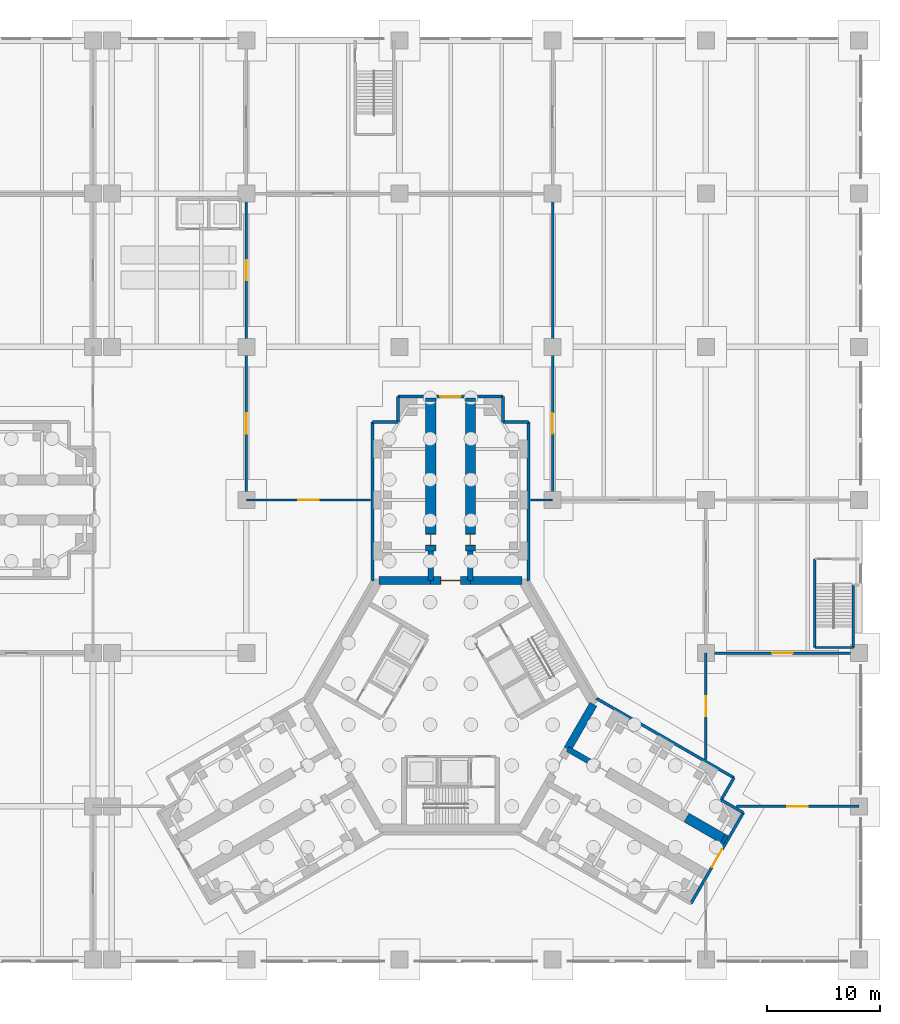
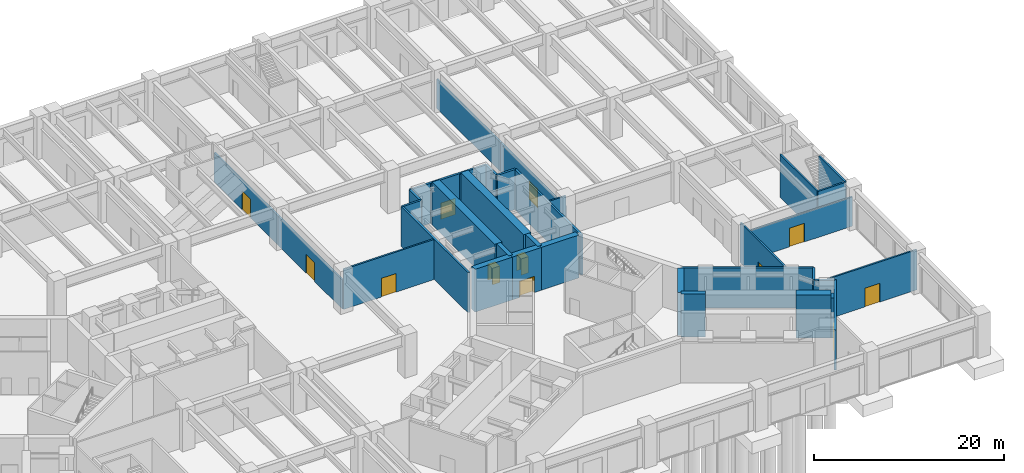
# One storey, part 11 of 18: 36 walls, 12 doors, 12 openings.
"""IFC4 building model written with IfcOpenShell, lengths in metres."""

from ifc_helpers import new_model, si_unit, direction, frame, frame_2d, origin, place, context, subcontext, project, spatial, rectangle, extrude, material, layer, layer_set, type_object, element, fill, save


model = new_model("IFC4")

# Units and contexts
model_context = context("Model", 3, precision=1e-05, world=origin(), true_north=direction((0.0, 1.0)))
body_context = subcontext(model_context, "Body", "Model", "MODEL_VIEW")
ifc_project = project(units=[si_unit("LENGTHUNIT", "METRE"), si_unit("AREAUNIT", "SQUARE_METRE"), si_unit("VOLUMEUNIT", "CUBIC_METRE"), si_unit("PLANEANGLEUNIT", "RADIAN"), si_unit("MASSUNIT", "GRAM", prefix="KILO")], contexts=[model_context])

# Site, building, storey
site_placement = place(None, origin())
site = spatial("IfcSite", under=ifc_project, at=site_placement, CompositionType="ELEMENT")
building_placement = place(site_placement, origin())
building = spatial("IfcBuilding", under=site, at=building_placement, Name="Upepo Twin Towers", CompositionType="ELEMENT")
storey_placement = place(building_placement, origin())
storey = spatial("IfcBuildingStorey", under=building, at=storey_placement, Name="L00", CompositionType="ELEMENT", Elevation=0.0)

# Walls
ifc_material_1 = material(Name="Dense concrete blockwork", Category="masonry")
ifc_layer_1 = layer(ifc_material_1, 0.89990234375)
ifc_layer_set_1 = layer_set([ifc_layer_1], Name="Buttress closer 900, blockwork with fire-stopping to the curtain wall")
wall_type_1 = type_object("IfcWallType", Name="Buttress closer 900, blockwork with fire-stopping to the curtain wall", PredefinedType="PARTITIONING", material=ifc_layer_set_1)
for number, where, z_axis, x_axis, name in (
    (1, (56.75, 8.699951171875, 0.0), (0.0, 0.0, 1.0), (0.0, 1.0, 0.0), "T2 L00 wing A buttress closer L"),
    (2, (60.25, 8.699951171875, 0.0), (0.0, 0.0, 1.0), (0.0, 1.0, 0.0), "T2 L00 wing A buttress closer R"),
):
    element("IfcWall", number, at=place(storey_placement, frame(where, z_axis=z_axis, x_axis=x_axis)), inside=storey, type_object=wall_type_1, Name=name, PredefinedType="PARTITIONING", context=body_context, shape_type="SweptSolid", body=[
        extrude(rectangle(XDim=0.300048828125, YDim=0.89990234375, at=frame_2d((0.14990234375, 0.0))), origin(), (0.0, 0.0, 1.0), 5.14990234375),
    ])
wall_1_placement = place(storey_placement, frame((82.497802734375, -29.83447265625, 0.0), z_axis=(0.0, 0.0, 1.0), x_axis=(0.866131372301, -0.499816412211, 0.0)))
element("IfcWall", 3, at=wall_1_placement, inside=storey, type_object=wall_type_1, Name="T2 L00 wing C buttress closer L", PredefinedType="PARTITIONING", context=body_context, shape_type="SweptSolid", body=[
    extrude(rectangle(XDim=0.2998046875, YDim=0.89990234375, at=frame_2d((0.14990234375, 0.0))), origin(), (0.0, 0.0, 1.0), 5.14990234375),
])
ifc_material_2 = material(Name="Concrete C60/75", Category="concrete")
ifc_layer_2 = layer(ifc_material_2, 0.5)
ifc_layer_set_2 = layer_set([ifc_layer_2], Name="Concrete C60/75")
wall_type_2 = type_object("IfcWallType", Name="Buttress wall 500 RC", PredefinedType="SHEAR", material=ifc_layer_set_2)
for number, where, z_axis, x_axis, name in (
    (4, (56.75, -7.091552734375, 0.0), (0.0, 0.0, 1.0), (0.0, 1.0, 0.0), "T2 wing A buttress wall L"),
    (5, (60.25, -7.091552734375, 0.0), (0.0, 0.0, 1.0), (0.0, 1.0, 0.0), "T2 wing A buttress wall R"),
):
    element("IfcWall", number, at=place(storey_placement, frame(where, z_axis=z_axis, x_axis=x_axis)), inside=storey, type_object=wall_type_2, Name=name, PredefinedType="SHEAR", context=body_context, shape_type="SweptSolid", body=[
        extrude(rectangle(XDim=2.591552734375, YDim=0.5, at=frame_2d((1.2958984375, 0.0))), origin(), (0.0, 0.0, 1.0), 5.5),
    ])
wall_2_placement = place(storey_placement, frame((68.82177734375, -21.938720703125, 0.0), z_axis=(0.0, 0.0, 1.0), x_axis=(0.866072649678, -0.499918158782, 0.0)))
element("IfcWall", 6, at=wall_2_placement, inside=storey, type_object=wall_type_2, Name="T2 wing C buttress wall L", PredefinedType="SHEAR", context=body_context, shape_type="SweptSolid", body=[
    extrude(rectangle(XDim=2.591796875, YDim=0.5, at=frame_2d((1.2958984375, 0.0))), origin(), (0.0, 0.0, 1.0), 5.5),
])

# Wall, opening, door
ifc_material_3 = material(Name="Concrete C60/75", Category="concrete")
ifc_layer_3 = layer(ifc_material_3, 0.89990234375)
ifc_layer_set_3 = layer_set([ifc_layer_3], Name="Concrete C60/75")
wall_type_3 = type_object("IfcWallType", Name="Buttress wall 900 RC", PredefinedType="SHEAR", material=ifc_layer_set_3)
wall_3_placement = place(storey_placement, frame((56.75, -4.5, 0.0), z_axis=(0.0, 0.0, 1.0), x_axis=(0.0, 1.0, 0.0)))
wall_3 = element("IfcWall", 7, at=wall_3_placement, inside=storey, type_object=wall_type_3, Name="T2 wing A buttress wall L part 2", PredefinedType="SHEAR", context=body_context, shape_type="SweptSolid", body=[
    extrude(rectangle(XDim=13.199951171875, YDim=0.89990234375, at=frame_2d((6.60009765625, 0.0))), origin(), (0.0, 0.0, 1.0), 5.5),
])
opening_1_placement = place(wall_3_placement, frame((0.5, 0.0, 0.0)))
opening_1 = element("IfcOpeningElement", 8, at=opening_1_placement, cuts=wall_3, Name="Opening D1", PredefinedType="OPENING", context=body_context, shape_type="SweptSolid", body=[
    extrude(rectangle(XDim=1.0, YDim=2.10009765625, at=frame_2d((0.5, 1.050048828125))), frame((0.0, 0.4599609375, 0.0), z_axis=(0.0, -1.0, 0.0), x_axis=(1.0, 0.0, 0.0)), (0.0, 0.0, 1.0), 0.919921875),
])
ifc_material_4 = material(Name="Timber doorset", Category="wood")
door_type_1 = type_object("IfcDoorType", Name="Room door 1000 FD30", OperationType="SINGLE_SWING_LEFT", PredefinedType="DOOR", material=ifc_material_4)
door_1_placement = place(opening_1_placement, origin())
door_1 = element("IfcDoor", 9, at=door_1_placement, inside=storey, type_object=door_type_1, Name="T2 L00 faculty reception door", OperationType="SINGLE_SWING_LEFT", OverallHeight=2.10009765625, OverallWidth=1.0, PredefinedType="DOOR", context=body_context, shape_type="SweptSolid", body=[
    extrude(rectangle(XDim=0.92, YDim=2.06009765625, at=frame_2d((0.5, 1.030029296875))), frame((0.0, 0.02490234375, 0.0), z_axis=(0.0, -1.0, 0.0), x_axis=(1.0, 0.0, 0.0)), (0.0, 0.0, 1.0), 0.050048828125),
    extrude(rectangle(XDim=0.04, YDim=2.10009765625, at=frame_2d((0.02001953125, 1.050048828125))), frame((0.0, 0.44970703125, 0.0), z_axis=(0.0, -1.0, 0.0), x_axis=(1.0, 0.0, 0.0)), (0.0, 0.0, 1.0), 0.8994140625),
    extrude(rectangle(XDim=0.04, YDim=2.10009765625, at=frame_2d((0.97998046875, 1.050048828125))), frame((0.0, 0.44970703125, 0.0), z_axis=(0.0, -1.0, 0.0), x_axis=(1.0, 0.0, 0.0)), (0.0, 0.0, 1.0), 0.8994140625),
    extrude(rectangle(XDim=0.92, YDim=0.04, at=frame_2d((0.5, 2.080078125))), frame((0.0, 0.44970703125, 0.0), z_axis=(0.0, -1.0, 0.0), x_axis=(1.0, 0.0, 0.0)), (0.0, 0.0, 1.0), 0.8994140625),
])
fill(opening_1, door_1)

wall_4_placement = place(storey_placement, frame((60.25, -4.5, 0.0), z_axis=(0.0, 0.0, 1.0), x_axis=(0.0, 1.0, 0.0)))
wall_4 = element("IfcWall", 10, at=wall_4_placement, inside=storey, type_object=wall_type_3, Name="T2 wing A buttress wall R part 2", PredefinedType="SHEAR", context=body_context, shape_type="SweptSolid", body=[
    extrude(rectangle(XDim=13.199951171875, YDim=0.89990234375, at=frame_2d((6.60009765625, 0.0))), origin(), (0.0, 0.0, 1.0), 5.5),
])
opening_2_placement = place(wall_4_placement, frame((0.5, 0.0, 0.0)))
opening_2 = element("IfcOpeningElement", 11, at=opening_2_placement, cuts=wall_4, Name="Opening D1", PredefinedType="OPENING", context=body_context, shape_type="SweptSolid", body=[
    extrude(rectangle(XDim=1.0, YDim=2.10009765625, at=frame_2d((0.5, 1.050048828125))), frame((0.0, 0.4599609375, 0.0), z_axis=(0.0, -1.0, 0.0), x_axis=(1.0, 0.0, 0.0)), (0.0, 0.0, 1.0), 0.919921875),
])
door_2_placement = place(opening_2_placement, origin())
door_2 = element("IfcDoor", 12, at=door_2_placement, inside=storey, type_object=door_type_1, Name="T2 L00 faculty reception door", OperationType="SINGLE_SWING_LEFT", OverallHeight=2.10009765625, OverallWidth=1.0, PredefinedType="DOOR", context=body_context, shape_type="SweptSolid", body=[
    extrude(rectangle(XDim=0.92, YDim=2.06009765625, at=frame_2d((0.5, 1.030029296875))), frame((0.0, 0.02490234375, 0.0), z_axis=(0.0, -1.0, 0.0), x_axis=(1.0, 0.0, 0.0)), (0.0, 0.0, 1.0), 0.050048828125),
    extrude(rectangle(XDim=0.04, YDim=2.10009765625, at=frame_2d((0.02001953125, 1.050048828125))), frame((0.0, 0.44970703125, 0.0), z_axis=(0.0, -1.0, 0.0), x_axis=(1.0, 0.0, 0.0)), (0.0, 0.0, 1.0), 0.8994140625),
    extrude(rectangle(XDim=0.04, YDim=2.10009765625, at=frame_2d((0.97998046875, 1.050048828125))), frame((0.0, 0.44970703125, 0.0), z_axis=(0.0, -1.0, 0.0), x_axis=(1.0, 0.0, 0.0)), (0.0, 0.0, 1.0), 0.8994140625),
    extrude(rectangle(XDim=0.92, YDim=0.04, at=frame_2d((0.5, 2.080078125))), frame((0.0, 0.44970703125, 0.0), z_axis=(0.0, -1.0, 0.0), x_axis=(1.0, 0.0, 0.0)), (0.0, 0.0, 1.0), 0.8994140625),
])
fill(opening_2, door_2)

# Walls
wall_5_placement = place(storey_placement, frame((79.293701171875, -27.984375, 0.0), z_axis=(0.0, 0.0, 1.0), x_axis=(0.866000971088, -0.500042316284, 0.0)))
element("IfcWall", 13, at=wall_5_placement, inside=storey, type_object=wall_type_3, Name="T2 wing C buttress wall L part 3", PredefinedType="SHEAR", context=body_context, shape_type="SweptSolid", body=[
    extrude(rectangle(XDim=3.699951171875, YDim=0.89990234375, at=frame_2d((1.85009765625, 0.0))), origin(), (0.0, 0.0, 1.0), 5.5),
])
ifc_material_5 = material(Name="Concrete C60/75", Category="concrete")
ifc_layer_4 = layer(ifc_material_5, 0.699951171875)
ifc_layer_set_4 = layer_set([ifc_layer_4], Name="Concrete C60/75")
wall_type_4 = type_object("IfcWallType", Name="Core wall 700 RC", PredefinedType="SHEAR", material=ifc_layer_set_4)
wall_6_placement = place(storey_placement, frame((64.7978515625, -7.091552734375, 0.0), z_axis=(0.0, 0.0, 1.0), x_axis=(-1.0, 0.0, 0.0)))
element("IfcWall", 14, at=wall_6_placement, inside=storey, type_object=wall_type_4, Name="T2 core wall 000 R", PredefinedType="SHEAR", context=body_context, shape_type="SweptSolid", body=[
    extrude(rectangle(XDim=4.5478515625, YDim=0.699951171875, at=frame_2d((2.27392578125, 0.0))), origin(), (0.0, 0.0, 1.0), 5.5),
])

# Wall, opening, door
wall_7_placement = place(storey_placement, frame((60.25, -7.091552734375, 0.0), z_axis=(0.0, 0.0, 1.0), x_axis=(-1.0, 0.0, 0.0)))
wall_7 = element("IfcWall", 15, at=wall_7_placement, inside=storey, type_object=wall_type_4, Name="T2 core wall 000", PredefinedType="SHEAR", context=body_context, shape_type="SweptSolid", body=[
    extrude(rectangle(XDim=3.5, YDim=0.699951171875, at=frame_2d((1.75, 0.0))), origin(), (0.0, 0.0, 1.0), 5.5),
])
opening_3_placement = place(wall_7_placement, frame((0.85009765625, 0.0, 0.0)))
opening_3 = element("IfcOpeningElement", 16, at=opening_3_placement, cuts=wall_7, Name="Opening D2", PredefinedType="OPENING", context=body_context, shape_type="SweptSolid", body=[
    extrude(rectangle(XDim=1.800048828125, YDim=2.10009765625, at=frame_2d((0.89990234375, 1.050048828125))), frame((0.0, 0.35986328125, 0.0), z_axis=(0.0, -1.0, 0.0), x_axis=(1.0, 0.0, 0.0)), (0.0, 0.0, 1.0), 0.719970703125),
])
ifc_material_6 = material(Name="Timber doorset", Category="wood")
door_type_2 = type_object("IfcDoorType", Name="Corridor double door 1800 FD60", OperationType="DOUBLE_DOOR_DOUBLE_SWING", PredefinedType="DOOR", material=ifc_material_6)
door_3_placement = place(opening_3_placement, origin())
door_3 = element("IfcDoor", 17, at=door_3_placement, inside=storey, type_object=door_type_2, Name="T2 L00 wing A corridor door", OperationType="DOUBLE_DOOR_DOUBLE_SWING", OverallHeight=2.10009765625, OverallWidth=1.800048828125, PredefinedType="DOOR", context=body_context, shape_type="SweptSolid", body=[
    extrude(rectangle(XDim=1.720048828125, YDim=2.06009765625, at=frame_2d((0.89990234375, 1.030029296875))), frame((0.0, 0.02490234375, 0.0), z_axis=(0.0, -1.0, 0.0), x_axis=(1.0, 0.0, 0.0)), (0.0, 0.0, 1.0), 0.050048828125),
    extrude(rectangle(XDim=0.04, YDim=2.10009765625, at=frame_2d((0.02001953125, 1.050048828125))), frame((0.0, 0.349609375, 0.0), z_axis=(0.0, -1.0, 0.0), x_axis=(1.0, 0.0, 0.0)), (0.0, 0.0, 1.0), 0.699462890625),
    extrude(rectangle(XDim=0.04, YDim=2.10009765625, at=frame_2d((1.780029296875, 1.050048828125))), frame((0.0, 0.349609375, 0.0), z_axis=(0.0, -1.0, 0.0), x_axis=(1.0, 0.0, 0.0)), (0.0, 0.0, 1.0), 0.699462890625),
    extrude(rectangle(XDim=1.720048828125, YDim=0.04, at=frame_2d((0.89990234375, 2.080078125))), frame((0.0, 0.349609375, 0.0), z_axis=(0.0, -1.0, 0.0), x_axis=(1.0, 0.0, 0.0)), (0.0, 0.0, 1.0), 0.699462890625),
])
fill(opening_3, door_3)

# Walls
wall_8_placement = place(storey_placement, frame((56.75, -7.091552734375, 0.0), z_axis=(0.0, 0.0, 1.0), x_axis=(-1.0, 0.0, 0.0)))
element("IfcWall", 18, at=wall_8_placement, inside=storey, type_object=wall_type_4, Name="T2 core wall 000 L", PredefinedType="SHEAR", context=body_context, shape_type="SweptSolid", body=[
    extrude(rectangle(XDim=4.5478515625, YDim=0.699951171875, at=frame_2d((2.27392578125, 0.0))), origin(), (0.0, 0.0, 1.0), 5.5),
])
wall_9_placement = place(storey_placement, frame((68.82177734375, -21.938720703125, 0.0), z_axis=(0.0, 0.0, 1.0), x_axis=(0.500024481964, 0.866011268655, 0.0)))
element("IfcWall", 19, at=wall_9_placement, inside=storey, type_object=wall_type_4, Name="T2 core wall 240 L", PredefinedType="SHEAR", context=body_context, shape_type="SweptSolid", body=[
    extrude(rectangle(XDim=4.548095703125, YDim=0.699951171875, at=frame_2d((2.27392578125, 0.0))), origin(), (0.0, 0.0, 1.0), 5.5),
])

# Wall, opening, door
ifc_material_7 = material(Name="Concrete blockwork", Category="masonry")
ifc_layer_5 = layer(ifc_material_7, 0.199951171875)
ifc_layer_set_5 = layer_set([ifc_layer_5], Name="Podium partition 200 blockwork")
wall_type_5 = type_object("IfcWallType", Name="Podium partition 200 blockwork", PredefinedType="PARTITIONING", material=ifc_layer_set_5)
wall_10_placement = place(storey_placement, frame((40.5, 0.0, 0.0), z_axis=(0.0, 0.0, 1.0), x_axis=(0.0, 1.0, 0.0)))
wall_10 = element("IfcWall", 20, at=wall_10_placement, inside=storey, type_object=wall_type_5, Name="L00 podium wall X53", PredefinedType="PARTITIONING", context=body_context, shape_type="SweptSolid", body=[
    extrude(rectangle(XDim=13.5, YDim=0.199951171875, at=frame_2d((6.75, 0.0))), origin(), (0.0, 0.0, 1.0), 3.75),
])
opening_4_placement = place(wall_10_placement, frame((5.85009765625, 0.0, 0.0)))
opening_4 = element("IfcOpeningElement", 21, at=opening_4_placement, cuts=wall_10, Name="Opening D10", PredefinedType="OPENING", context=body_context, shape_type="SweptSolid", body=[
    extrude(rectangle(XDim=1.800048828125, YDim=2.39990234375, at=frame_2d((0.89990234375, 1.199951171875))), frame((0.0, 0.10986328125, 0.0), z_axis=(0.0, -1.0, 0.0), x_axis=(1.0, 0.0, 0.0)), (0.0, 0.0, 1.0), 0.219970703125),
])
ifc_material_8 = material(Name="Timber doorset", Category="wood")
door_type_3 = type_object("IfcDoorType", Name="Podium double door 1800", OperationType="DOUBLE_DOOR_DOUBLE_SWING", PredefinedType="DOOR", material=ifc_material_8)
door_4_placement = place(opening_4_placement, origin())
door_4 = element("IfcDoor", 22, at=door_4_placement, inside=storey, type_object=door_type_3, Name="L00 lecture theatre lt1 door 1", OperationType="DOUBLE_DOOR_DOUBLE_SWING", OverallHeight=2.39990234375, OverallWidth=1.800048828125, PredefinedType="DOOR", context=body_context, shape_type="SweptSolid", body=[
    extrude(rectangle(XDim=1.800048828125, YDim=2.39990234375, at=frame_2d((0.89990234375, 1.199951171875))), frame((0.0, 0.02490234375, 0.0), z_axis=(0.0, -1.0, 0.0), x_axis=(1.0, 0.0, 0.0)), (0.0, 0.0, 1.0), 0.050048828125),
])
fill(opening_4, door_4)

wall_11_placement = place(storey_placement, frame((40.5, 13.5, 0.0), z_axis=(0.0, 0.0, 1.0), x_axis=(0.0, 1.0, 0.0)))
wall_11 = element("IfcWall", 23, at=wall_11_placement, inside=storey, type_object=wall_type_5, Name="L00 podium wall X54", PredefinedType="PARTITIONING", context=body_context, shape_type="SweptSolid", body=[
    extrude(rectangle(XDim=13.5, YDim=0.199951171875, at=frame_2d((6.75, 0.0))), origin(), (0.0, 0.0, 1.0), 3.75),
])
opening_5_placement = place(wall_11_placement, frame((5.85009765625, 0.0, 0.0)))
opening_5 = element("IfcOpeningElement", 24, at=opening_5_placement, cuts=wall_11, Name="Opening D10", PredefinedType="OPENING", context=body_context, shape_type="SweptSolid", body=[
    extrude(rectangle(XDim=1.800048828125, YDim=2.39990234375, at=frame_2d((0.89990234375, 1.199951171875))), frame((0.0, 0.10986328125, 0.0), z_axis=(0.0, -1.0, 0.0), x_axis=(1.0, 0.0, 0.0)), (0.0, 0.0, 1.0), 0.219970703125),
])
door_5_placement = place(opening_5_placement, origin())
door_5 = element("IfcDoor", 25, at=door_5_placement, inside=storey, type_object=door_type_3, Name="L00 lecture theatre lt1 door 2", OperationType="DOUBLE_DOOR_DOUBLE_SWING", OverallHeight=2.39990234375, OverallWidth=1.800048828125, PredefinedType="DOOR", context=body_context, shape_type="SweptSolid", body=[
    extrude(rectangle(XDim=1.800048828125, YDim=2.39990234375, at=frame_2d((0.89990234375, 1.199951171875))), frame((0.0, 0.02490234375, 0.0), z_axis=(0.0, -1.0, 0.0), x_axis=(1.0, 0.0, 0.0)), (0.0, 0.0, 1.0), 0.050048828125),
])
fill(opening_5, door_5)

wall_12_placement = place(storey_placement, frame((40.5, 0.0, 0.0), z_axis=(0.0, 0.0, 1.0), x_axis=(1.0, 0.0, 0.0)))
wall_12 = element("IfcWall", 26, at=wall_12_placement, inside=storey, type_object=wall_type_5, Name="L00 podium wall Y53", PredefinedType="PARTITIONING", context=body_context, shape_type="SweptSolid", body=[
    extrude(rectangle(XDim=10.949951171875, YDim=0.199951171875, at=frame_2d((5.47509765625, 0.0))), origin(), (0.0, 0.0, 1.0), 5.14990234375),
])
opening_6_placement = place(wall_12_placement, frame((4.574951171875, 0.0, 0.0)))
opening_6 = element("IfcOpeningElement", 27, at=opening_6_placement, cuts=wall_12, Name="Opening D10", PredefinedType="OPENING", context=body_context, shape_type="SweptSolid", body=[
    extrude(rectangle(XDim=1.800048828125, YDim=2.39990234375, at=frame_2d((0.89990234375, 1.199951171875))), frame((0.0, 0.10986328125, 0.0), z_axis=(0.0, -1.0, 0.0), x_axis=(1.0, 0.0, 0.0)), (0.0, 0.0, 1.0), 0.219970703125),
])
door_6_placement = place(opening_6_placement, origin())
door_6 = element("IfcDoor", 28, at=door_6_placement, inside=storey, type_object=door_type_3, Name="L00 lecture theatre lt1 door 3", OperationType="DOUBLE_DOOR_DOUBLE_SWING", OverallHeight=2.39990234375, OverallWidth=1.800048828125, PredefinedType="DOOR", context=body_context, shape_type="SweptSolid", body=[
    extrude(rectangle(XDim=1.800048828125, YDim=2.39990234375, at=frame_2d((0.89990234375, 1.199951171875))), frame((0.0, 0.02490234375, 0.0), z_axis=(0.0, -1.0, 0.0), x_axis=(1.0, 0.0, 0.0)), (0.0, 0.0, 1.0), 0.050048828125),
])
fill(opening_6, door_6)

# Wall
wall_13_placement = place(storey_placement, frame((65.550048828125, 0.0, 0.0), z_axis=(0.0, 0.0, 1.0), x_axis=(1.0, 0.0, 0.0)))
element("IfcWall", 29, at=wall_13_placement, inside=storey, type_object=wall_type_5, Name="L00 podium wall Y63", PredefinedType="PARTITIONING", context=body_context, shape_type="SweptSolid", body=[
    extrude(rectangle(XDim=1.949951171875, YDim=0.199951171875, at=frame_2d((0.97509765625, 0.0))), origin(), (0.0, 0.0, 1.0), 5.14990234375),
])

# Wall, opening, door
wall_14_placement = place(storey_placement, frame((67.5, 0.0, 0.0), z_axis=(0.0, 0.0, 1.0), x_axis=(0.0, 1.0, 0.0)))
wall_14 = element("IfcWall", 30, at=wall_14_placement, inside=storey, type_object=wall_type_5, Name="L00 podium wall X73", PredefinedType="PARTITIONING", context=body_context, shape_type="SweptSolid", body=[
    extrude(rectangle(XDim=13.5, YDim=0.199951171875, at=frame_2d((6.75, 0.0))), origin(), (0.0, 0.0, 1.0), 3.75),
])
opening_7_placement = place(wall_14_placement, frame((5.85009765625, 0.0, 0.0)))
opening_7 = element("IfcOpeningElement", 31, at=opening_7_placement, cuts=wall_14, Name="Opening D10", PredefinedType="OPENING", context=body_context, shape_type="SweptSolid", body=[
    extrude(rectangle(XDim=1.800048828125, YDim=2.39990234375, at=frame_2d((0.89990234375, 1.199951171875))), frame((0.0, 0.10986328125, 0.0), z_axis=(0.0, -1.0, 0.0), x_axis=(1.0, 0.0, 0.0)), (0.0, 0.0, 1.0), 0.219970703125),
])
door_7_placement = place(opening_7_placement, origin())
door_7 = element("IfcDoor", 32, at=door_7_placement, inside=storey, type_object=door_type_3, Name="L00 lecture theatre lt1-library entrance hall door", OperationType="DOUBLE_DOOR_DOUBLE_SWING", OverallHeight=2.39990234375, OverallWidth=1.800048828125, PredefinedType="DOOR", context=body_context, shape_type="SweptSolid", body=[
    extrude(rectangle(XDim=1.800048828125, YDim=2.39990234375, at=frame_2d((0.89990234375, 1.199951171875))), frame((0.0, 0.02490234375, 0.0), z_axis=(0.0, -1.0, 0.0), x_axis=(1.0, 0.0, 0.0)), (0.0, 0.0, 1.0), 0.050048828125),
])
fill(opening_7, door_7)

# Wall
wall_15_placement = place(storey_placement, frame((67.5, 13.5, 0.0), z_axis=(0.0, 0.0, 1.0), x_axis=(0.0, 1.0, 0.0)))
element("IfcWall", 33, at=wall_15_placement, inside=storey, type_object=wall_type_5, Name="L00 podium wall X74", PredefinedType="PARTITIONING", context=body_context, shape_type="SweptSolid", body=[
    extrude(rectangle(XDim=13.5, YDim=0.199951171875, at=frame_2d((6.75, 0.0))), origin(), (0.0, 0.0, 1.0), 3.75),
])

# Wall, opening, door
wall_16_placement = place(storey_placement, frame((81.0, -22.849853515625, 0.0), z_axis=(0.0, 0.0, 1.0), x_axis=(0.0, 1.0, 0.0)))
wall_16 = element("IfcWall", 34, at=wall_16_placement, inside=storey, type_object=wall_type_5, Name="L00 podium wall X81", PredefinedType="PARTITIONING", context=body_context, shape_type="SweptSolid", body=[
    extrude(rectangle(XDim=9.349853515625, YDim=0.199951171875, at=frame_2d((4.6748046875, 0.0))), origin(), (0.0, 0.0, 1.0), 5.14990234375),
])
opening_8_placement = place(wall_16_placement, frame((3.77490234375, 0.0, 0.0)))
opening_8 = element("IfcOpeningElement", 35, at=opening_8_placement, cuts=wall_16, Name="Opening D10", PredefinedType="OPENING", context=body_context, shape_type="SweptSolid", body=[
    extrude(rectangle(XDim=1.800048828125, YDim=2.39990234375, at=frame_2d((0.89990234375, 1.199951171875))), frame((0.0, 0.10986328125, 0.0), z_axis=(0.0, -1.0, 0.0), x_axis=(1.0, 0.0, 0.0)), (0.0, 0.0, 1.0), 0.219970703125),
])
door_8_placement = place(opening_8_placement, origin())
door_8 = element("IfcDoor", 36, at=door_8_placement, inside=storey, type_object=door_type_3, Name="L00 lecture theatre lt2-standby generator room door", OperationType="DOUBLE_DOOR_DOUBLE_SWING", OverallHeight=2.39990234375, OverallWidth=1.800048828125, PredefinedType="DOOR", context=body_context, shape_type="SweptSolid", body=[
    extrude(rectangle(XDim=1.800048828125, YDim=2.39990234375, at=frame_2d((0.89990234375, 1.199951171875))), frame((0.0, 0.02490234375, 0.0), z_axis=(0.0, -1.0, 0.0), x_axis=(1.0, 0.0, 0.0)), (0.0, 0.0, 1.0), 0.050048828125),
])
fill(opening_8, door_8)

wall_17_placement = place(storey_placement, frame((83.6884765625, -27.0, 0.0), z_axis=(0.0, 0.0, 1.0), x_axis=(1.0, 0.0, 0.0)))
wall_17 = element("IfcWall", 37, at=wall_17_placement, inside=storey, type_object=wall_type_5, Name="L00 podium wall Y81", PredefinedType="PARTITIONING", context=body_context, shape_type="SweptSolid", body=[
    extrude(rectangle(XDim=10.8115234375, YDim=0.199951171875, at=frame_2d((5.40576171875, 0.0))), origin(), (0.0, 0.0, 1.0), 5.14990234375),
])
opening_9_placement = place(wall_17_placement, frame((4.505859375, 0.0, 0.0)))
opening_9 = element("IfcOpeningElement", 38, at=opening_9_placement, cuts=wall_17, Name="Opening D10", PredefinedType="OPENING", context=body_context, shape_type="SweptSolid", body=[
    extrude(rectangle(XDim=1.800048828125, YDim=2.39990234375, at=frame_2d((0.89990234375, 1.199951171875))), frame((0.0, 0.10986328125, 0.0), z_axis=(0.0, -1.0, 0.0), x_axis=(1.0, 0.0, 0.0)), (0.0, 0.0, 1.0), 0.219970703125),
])
door_9_placement = place(opening_9_placement, origin())
door_9 = element("IfcDoor", 39, at=door_9_placement, inside=storey, type_object=door_type_3, Name="L00 electrical substation-standby generator room door", OperationType="DOUBLE_DOOR_DOUBLE_SWING", OverallHeight=2.39990234375, OverallWidth=1.800048828125, PredefinedType="DOOR", context=body_context, shape_type="SweptSolid", body=[
    extrude(rectangle(XDim=1.800048828125, YDim=2.39990234375, at=frame_2d((0.89990234375, 1.199951171875))), frame((0.0, 0.02490234375, 0.0), z_axis=(0.0, -1.0, 0.0), x_axis=(1.0, 0.0, 0.0)), (0.0, 0.0, 1.0), 0.050048828125),
])
fill(opening_9, door_9)

wall_18_placement = place(storey_placement, frame((81.0, -13.5, 0.0), z_axis=(0.0, 0.0, 1.0), x_axis=(1.0, 0.0, 0.0)))
wall_18 = element("IfcWall", 40, at=wall_18_placement, inside=storey, type_object=wall_type_5, Name="L00 podium wall Y82", PredefinedType="PARTITIONING", context=body_context, shape_type="SweptSolid", body=[
    extrude(rectangle(XDim=13.5, YDim=0.199951171875, at=frame_2d((6.75, 0.0))), origin(), (0.0, 0.0, 1.0), 3.75),
])
opening_10_placement = place(wall_18_placement, frame((5.85009765625, 0.0, 0.0)))
opening_10 = element("IfcOpeningElement", 41, at=opening_10_placement, cuts=wall_18, Name="Opening D10", PredefinedType="OPENING", context=body_context, shape_type="SweptSolid", body=[
    extrude(rectangle(XDim=1.800048828125, YDim=2.39990234375, at=frame_2d((0.89990234375, 1.199951171875))), frame((0.0, 0.10986328125, 0.0), z_axis=(0.0, -1.0, 0.0), x_axis=(1.0, 0.0, 0.0)), (0.0, 0.0, 1.0), 0.219970703125),
])
door_10_placement = place(opening_10_placement, origin())
door_10 = element("IfcDoor", 42, at=door_10_placement, inside=storey, type_object=door_type_3, Name="L00 standby generator room door", OperationType="DOUBLE_DOOR_DOUBLE_SWING", OverallHeight=2.39990234375, OverallWidth=1.800048828125, PredefinedType="DOOR", context=body_context, shape_type="SweptSolid", body=[
    extrude(rectangle(XDim=1.800048828125, YDim=2.39990234375, at=frame_2d((0.89990234375, 1.199951171875))), frame((0.0, 0.02490234375, 0.0), z_axis=(0.0, -1.0, 0.0), x_axis=(1.0, 0.0, 0.0)), (0.0, 0.0, 1.0), 0.050048828125),
])
fill(opening_10, door_10)

# Walls
ifc_material_9 = material(Name="Concrete C40/50", Category="concrete")
ifc_layer_6 = layer(ifc_material_9, 0.199951171875)
ifc_layer_set_6 = layer_set([ifc_layer_6], Name="Concrete C40/50")
wall_type_6 = type_object("IfcWallType", Name="Podium stair enclosure 200 RC", PredefinedType="SHEAR", material=ifc_layer_set_6)
wall_19_placement = place(storey_placement, frame((90.60009765625, -13.0, 0.0), z_axis=(0.0, 0.0, 1.0), x_axis=(1.0, 0.0, 0.0)))
element("IfcWall", 43, at=wall_19_placement, inside=storey, type_object=wall_type_6, Name="PS2 L00 enclosure wall 1", PredefinedType="SHEAR", context=body_context, shape_type="SweptSolid", body=[
    extrude(rectangle(XDim=3.39990234375, YDim=0.199951171875, at=frame_2d((1.699951171875, 0.0))), origin(), (0.0, 0.0, 1.0), 5.5),
])
wall_20_placement = place(storey_placement, frame((94.0, -13.0, 0.0), z_axis=(0.0, 0.0, 1.0), x_axis=(0.0, 1.0, 0.0)))
element("IfcWall", 44, at=wall_20_placement, inside=storey, type_object=wall_type_6, Name="PS2 L00 enclosure wall 2", PredefinedType="SHEAR", context=body_context, shape_type="SweptSolid", body=[
    extrude(rectangle(XDim=5.5, YDim=0.199951171875, at=frame_2d((2.75, 0.0))), origin(), (0.0, 0.0, 1.0), 5.5),
])
wall_21_placement = place(storey_placement, frame((90.60009765625, -5.199951171875, 0.0), z_axis=(0.0, 0.0, 1.0), x_axis=(0.0, -1.0, 0.0)))
element("IfcWall", 45, at=wall_21_placement, inside=storey, type_object=wall_type_6, Name="PS2 L00 enclosure wall 4", PredefinedType="SHEAR", context=body_context, shape_type="SweptSolid", body=[
    extrude(rectangle(XDim=7.800048828125, YDim=0.199951171875, at=frame_2d((3.89990234375, 0.0))), origin(), (0.0, 0.0, 1.0), 5.5),
])
ifc_material_10 = material(Name="Concrete blockwork", Category="masonry")
ifc_layer_7 = layer(ifc_material_10, 0.25)
ifc_layer_set_7 = layer_set([ifc_layer_7], Name="Tower enclosure wall 250 blockwork")
wall_type_7 = type_object("IfcWallType", Name="Tower enclosure wall 250 blockwork", PredefinedType="STANDARD", material=ifc_layer_set_7)
wall_22_placement = place(storey_placement, frame((82.35498046875, -26.43212890625, 0.0), z_axis=(0.0, 0.0, 1.0), x_axis=(0.866017533419, -0.500013631625, 0.0)))
element("IfcWall", 46, at=wall_22_placement, inside=storey, type_object=wall_type_7, Name="T2 L00 enclosure wall 1", PredefinedType="STANDARD", context=body_context, shape_type="SweptSolid", body=[
    extrude(rectangle(XDim=2.25, YDim=0.25, at=frame_2d((1.125, 0.0))), origin(), (0.0, 0.0, 1.0), 5.14990234375),
])

# Wall, opening, door
wall_23_placement = place(storey_placement, frame((84.303466796875, -27.55712890625, 0.0), z_axis=(0.0, 0.0, 1.0), x_axis=(-0.499999662836, -0.866025598446, 0.0)))
wall_23 = element("IfcWall", 47, at=wall_23_placement, inside=storey, type_object=wall_type_7, Name="T2 L00 enclosure wall 2", PredefinedType="STANDARD", context=body_context, shape_type="SweptSolid", body=[
    extrude(rectangle(XDim=9.25, YDim=0.25, at=frame_2d((4.625, 0.0))), origin(), (0.0, 0.0, 1.0), 5.14990234375),
])
opening_11_placement = place(wall_23_placement, frame((3.72509765625, 0.0, 0.0)))
opening_11 = element("IfcOpeningElement", 48, at=opening_11_placement, cuts=wall_23, Name="Opening D2", PredefinedType="OPENING", context=body_context, shape_type="SweptSolid", body=[
    extrude(rectangle(XDim=1.800048828125, YDim=2.10009765625, at=frame_2d((0.89990234375, 1.050048828125))), frame((0.0, 0.135009765625, 0.0), z_axis=(0.0, -1.0, 0.0), x_axis=(1.0, 0.0, 0.0)), (0.0, 0.0, 1.0), 0.27001953125),
])
door_11_placement = place(opening_11_placement, origin())
door_11 = element("IfcDoor", 49, at=door_11_placement, inside=storey, type_object=door_type_2, Name="T2 L00 wing C podium door", OperationType="DOUBLE_DOOR_DOUBLE_SWING", OverallHeight=2.10009765625, OverallWidth=1.800048828125, PredefinedType="DOOR", context=body_context, shape_type="SweptSolid", body=[
    extrude(rectangle(XDim=1.800048828125, YDim=2.10009765625, at=frame_2d((0.89990234375, 1.050048828125))), frame((0.0, 0.02490234375, 0.0), z_axis=(0.0, -1.0, 0.0), x_axis=(1.0, 0.0, 0.0)), (0.0, 0.0, 1.0), 0.050048828125),
])
fill(opening_11, door_11)

# Walls
wall_24_placement = place(storey_placement, frame((51.625, -7.14111328125, 0.0), z_axis=(0.0, 0.0, 1.0), x_axis=(0.0, 1.0, 0.0)))
element("IfcWall", 50, at=wall_24_placement, inside=storey, type_object=wall_type_7, Name="T2 L00 enclosure wall 15", PredefinedType="STANDARD", context=body_context, shape_type="SweptSolid", body=[
    extrude(rectangle(XDim=14.01611328125, YDim=0.25, at=frame_2d((7.008056640625, 0.0))), origin(), (0.0, 0.0, 1.0), 5.14990234375),
])
for number, where, z_axis, x_axis, name in (
    (51, (51.625, 6.875, 0.0), (0.0, 0.0, 1.0), (1.0, 0.0, 0.0), "T2 L00 enclosure wall 16"),
    (52, (53.875, 6.875, 0.0), (0.0, 0.0, 1.0), (0.0, 1.0, 0.0), "T2 L00 enclosure wall 17"),
):
    element("IfcWall", number, at=place(storey_placement, frame(where, z_axis=z_axis, x_axis=x_axis)), inside=storey, type_object=wall_type_7, Name=name, PredefinedType="STANDARD", context=body_context, shape_type="SweptSolid", body=[
        extrude(rectangle(XDim=2.25, YDim=0.25, at=frame_2d((1.125, 0.0))), origin(), (0.0, 0.0, 1.0), 5.14990234375),
    ])

# Wall, opening, door
wall_25_placement = place(storey_placement, frame((53.875, 9.125, 0.0), z_axis=(0.0, 0.0, 1.0), x_axis=(1.0, 0.0, 0.0)))
wall_25 = element("IfcWall", 53, at=wall_25_placement, inside=storey, type_object=wall_type_7, Name="T2 L00 enclosure wall 18", PredefinedType="STANDARD", context=body_context, shape_type="SweptSolid", body=[
    extrude(rectangle(XDim=9.25, YDim=0.25, at=frame_2d((4.625, 0.0))), origin(), (0.0, 0.0, 1.0), 5.14990234375),
])
opening_12_placement = place(wall_25_placement, frame((3.72509765625, 0.0, 0.0)))
opening_12 = element("IfcOpeningElement", 54, at=opening_12_placement, cuts=wall_25, Name="Opening D2", PredefinedType="OPENING", context=body_context, shape_type="SweptSolid", body=[
    extrude(rectangle(XDim=1.800048828125, YDim=2.10009765625, at=frame_2d((0.89990234375, 1.050048828125))), frame((0.0, 0.135009765625, 0.0), z_axis=(0.0, -1.0, 0.0), x_axis=(1.0, 0.0, 0.0)), (0.0, 0.0, 1.0), 0.27001953125),
])
door_12_placement = place(opening_12_placement, origin())
door_12 = element("IfcDoor", 55, at=door_12_placement, inside=storey, type_object=door_type_2, Name="T2 L00 wing A podium door", OperationType="DOUBLE_DOOR_DOUBLE_SWING", OverallHeight=2.10009765625, OverallWidth=1.800048828125, PredefinedType="DOOR", context=body_context, shape_type="SweptSolid", body=[
    extrude(rectangle(XDim=1.800048828125, YDim=2.10009765625, at=frame_2d((0.89990234375, 1.050048828125))), frame((0.0, 0.02490234375, 0.0), z_axis=(0.0, -1.0, 0.0), x_axis=(1.0, 0.0, 0.0)), (0.0, 0.0, 1.0), 0.050048828125),
])
fill(opening_12, door_12)

# Walls
for number, where, z_axis, x_axis, name in (
    (56, (63.125, 9.125, 0.0), (0.0, 0.0, 1.0), (0.0, -1.0, 0.0), "T2 L00 enclosure wall 19"),
    (57, (63.125, 6.875, 0.0), (0.0, 0.0, 1.0), (1.0, 0.0, 0.0), "T2 L00 enclosure wall 20"),
):
    element("IfcWall", number, at=place(storey_placement, frame(where, z_axis=z_axis, x_axis=x_axis)), inside=storey, type_object=wall_type_7, Name=name, PredefinedType="STANDARD", context=body_context, shape_type="SweptSolid", body=[
        extrude(rectangle(XDim=2.25, YDim=0.25, at=frame_2d((1.125, 0.0))), origin(), (0.0, 0.0, 1.0), 5.14990234375),
    ])
for number, where, z_axis, x_axis, name in (
    (58, (65.375, 6.875, 0.0), (0.0, 0.0, 1.0), (0.0, -1.0, 0.0), "T2 L00 enclosure wall 21"),
    (59, (71.341552734375, -17.4755859375, 0.0), (0.0, 0.0, 1.0), (0.866027500821, -0.499996367808, 0.0), "T2 L00 enclosure wall 23"),
):
    element("IfcWall", number, at=place(storey_placement, frame(where, z_axis=z_axis, x_axis=x_axis)), inside=storey, type_object=wall_type_7, Name=name, PredefinedType="STANDARD", context=body_context, shape_type="SweptSolid", body=[
        extrude(rectangle(XDim=14.01611328125, YDim=0.25, at=frame_2d((7.008056640625, 0.0))), origin(), (0.0, 0.0, 1.0), 5.14990234375),
    ])
wall_26_placement = place(storey_placement, frame((83.47998046875, -24.483642578125, 0.0), z_axis=(0.0, 0.0, 1.0), x_axis=(-0.500013631625, -0.866017533419, 0.0)))
element("IfcWall", 60, at=wall_26_placement, inside=storey, type_object=wall_type_7, Name="T2 L00 enclosure wall 24", PredefinedType="STANDARD", context=body_context, shape_type="SweptSolid", body=[
    extrude(rectangle(XDim=2.25, YDim=0.25, at=frame_2d((1.125, 0.0))), origin(), (0.0, 0.0, 1.0), 5.14990234375),
])

save(model, "model.ifc")
